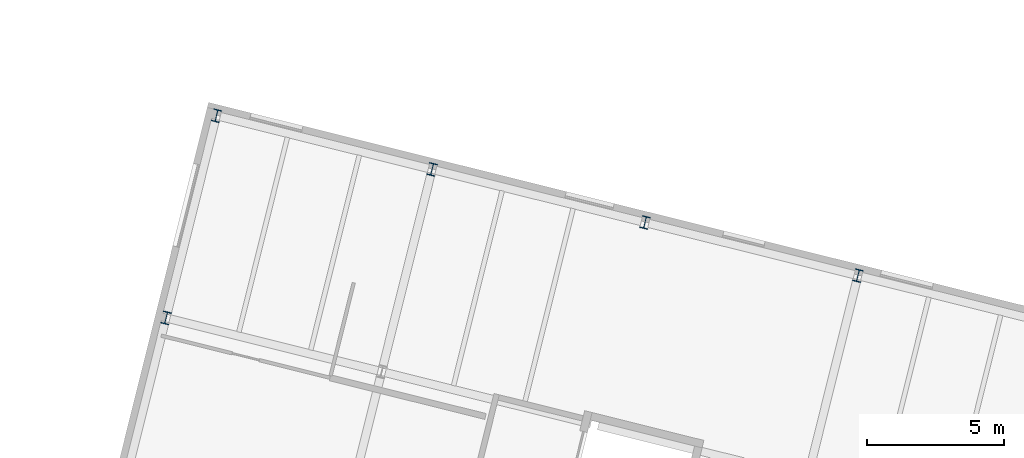
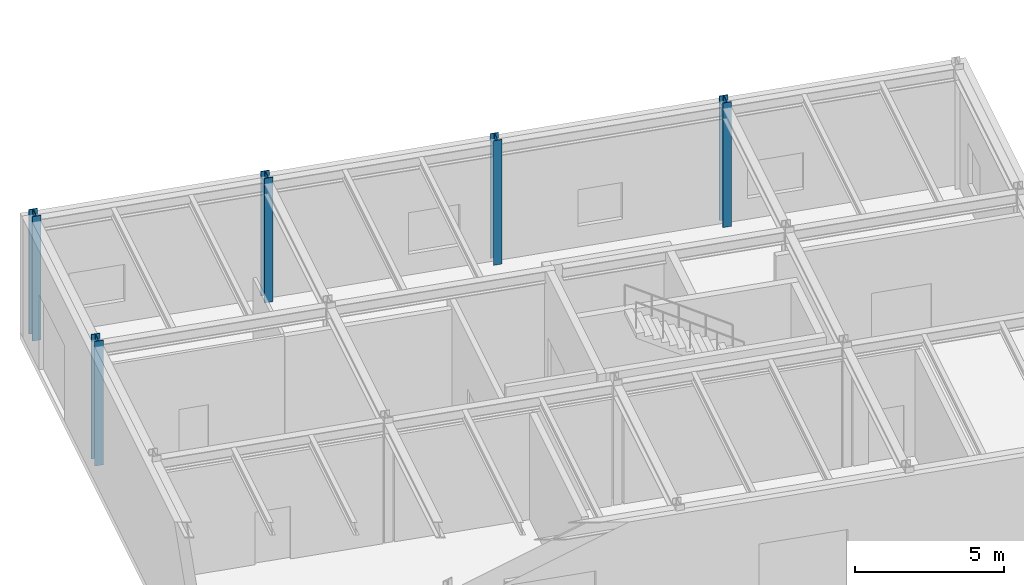
# One storey, part 11 of 97: 5 columns.
"""IFC4 building model written with IfcOpenShell, lengths in metres."""

from ifc_helpers import new_model, si_unit, direction, frame, origin, origin_2d, place, context, subcontext, project, spatial, i_section, extrude, material, material_profile, profile_set, type_object, element, save


model = new_model("IFC4")

# Units and contexts
model_context = context("Model", 3, precision=1e-05, world=origin(), true_north=direction((0.0, 1.0)))
body_context = subcontext(model_context, "Body", "Model", "MODEL_VIEW")
ifc_project = project(units=[si_unit("LENGTHUNIT", "METRE"), si_unit("AREAUNIT", "SQUARE_METRE"), si_unit("VOLUMEUNIT", "CUBIC_METRE"), si_unit("PLANEANGLEUNIT", "RADIAN"), si_unit("MASSUNIT", "GRAM", prefix="KILO")], contexts=[model_context])

# Site, building, storey
site_placement = place(None, origin())
site = spatial("IfcSite", under=ifc_project, at=site_placement, CompositionType="ELEMENT")
building_placement = place(site_placement, origin())
building = spatial("IfcBuilding", under=site, at=building_placement, Name="Varnklinge Art Gallery", CompositionType="ELEMENT")
storey_placement = place(building_placement, origin())
storey = spatial("IfcBuildingStorey", under=building, at=storey_placement, Name="L00", CompositionType="ELEMENT", Elevation=0.0)

# Columns
ifc_material = material(Name="Steel S355", Category="steel")
ifc_material_profile = material_profile(ifc_material, i_section(OverallWidth=0.300048828125, OverallDepth=0.449951171875, WebThickness=0.013916015625, FlangeThickness=0.02587890625, FilletRadius=0.027099609375, at=origin_2d()), Name="HEB 450")
ifc_profile_set = profile_set([ifc_material_profile], Name="Steel S355")
column_type = type_object("IfcColumnType", Name="COL-E2", PredefinedType="COLUMN", material=ifc_profile_set)
for number, where, z_axis, x_axis, name in (
    (1, (9.22509765625, 99.791015625, 0.0), (0.0, 0.0, 1.0), (0.970295726276, -0.2419218956, 0.0), "L00 Column V5C-1-3"),
    (2, (11.063720703125, 107.165283203125, 0.0), (0.0, 0.0, 1.0), (0.970295726276, -0.2419218956, 0.0), "L00 Column V5C-1-4"),
    (3, (18.923095703125, 105.205810546875, 0.0), (0.0, 0.0, 1.0), (0.970295726276, -0.2419218956, 0.0), "L00 Column V5C-2-4"),
    (4, (26.685302734375, 103.270263671875, 0.0), (0.0, 0.0, 1.0), (0.970295726276, -0.2419218956, 0.0), "L00 Column V5C-3-4"),
    (5, (34.44775390625, 101.3349609375, 0.0), (0.0, 0.0, 1.0), (0.970295726276, -0.2419218956, 0.0), "L00 Column V5C-4-4"),
):
    element("IfcColumn", number, at=place(storey_placement, frame(where, z_axis=z_axis, x_axis=x_axis)), inside=storey, type_object=column_type, Name=name, PredefinedType="COLUMN", context=body_context, shape_type="SweptSolid", body=[
        extrude(i_section(OverallWidth=0.300048828125, OverallDepth=0.449951171875, WebThickness=0.013916015625, FlangeThickness=0.02587890625, FilletRadius=0.027099609375, at=origin_2d()), origin(), (0.0, 0.0, 1.0), 5.10009765625),
    ])

save(model, "model.ifc")
